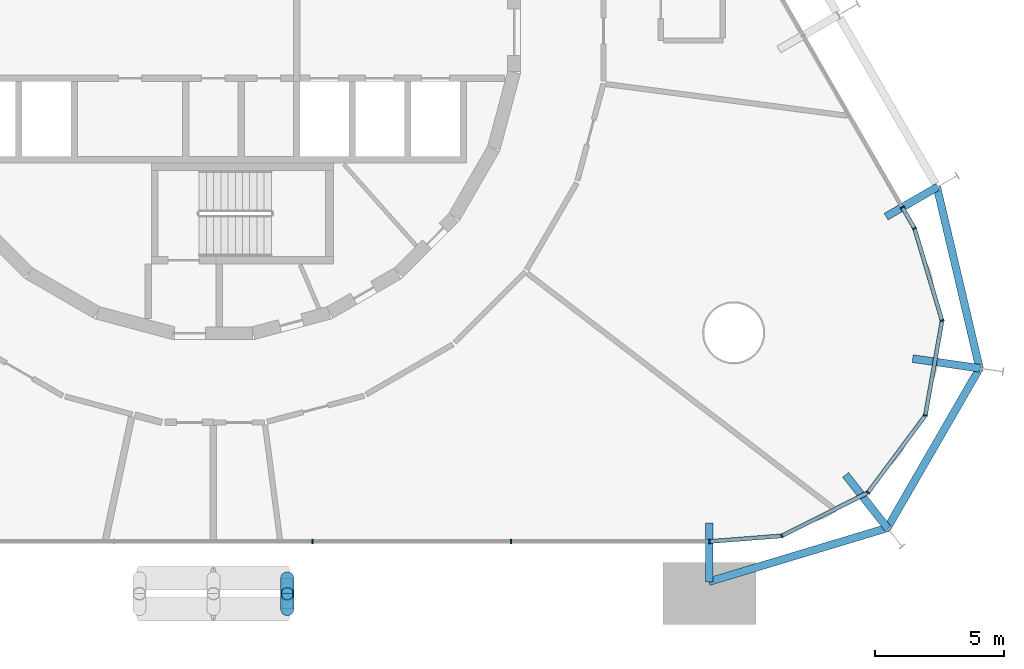
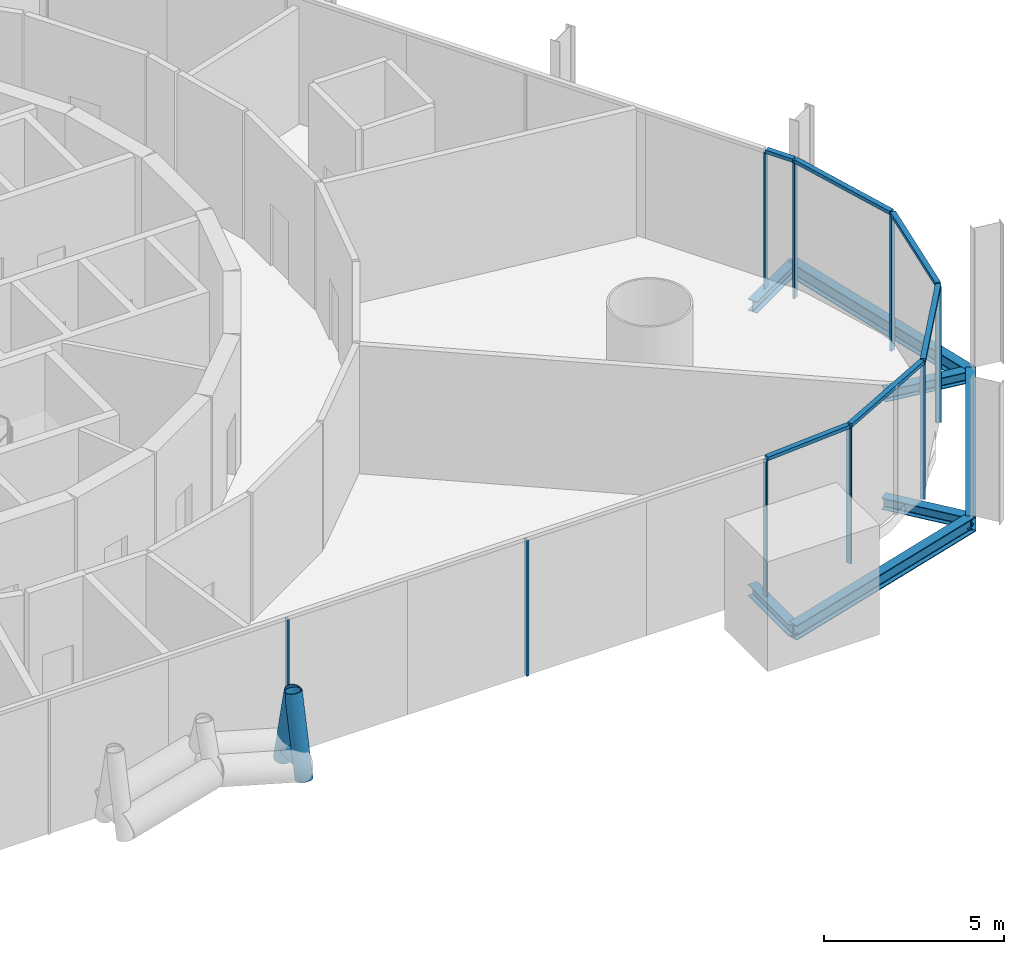
# One storey, part 6 of 17: 18 members, 7 beams, 3 elements without a shape of their own.
"""IFC4 building model written with IfcOpenShell, lengths in metres."""

from ifc_helpers import new_model, si_unit, direction, frame, origin, origin_2d, place, context, subcontext, project, spatial, rectangle, hollow_circle, i_section, extrude, material, layer, layer_set, material_profile, profile_set, type_object, element, aggregate, save


model = new_model("IFC4")

# Units and contexts
model_context = context("Model", 3, precision=1e-05, world=origin(), true_north=direction((0.0, 1.0)))
body_context = subcontext(model_context, "Body", "Model", "MODEL_VIEW")
ifc_project = project(units=[si_unit("LENGTHUNIT", "METRE"), si_unit("AREAUNIT", "SQUARE_METRE"), si_unit("VOLUMEUNIT", "CUBIC_METRE"), si_unit("PLANEANGLEUNIT", "RADIAN"), si_unit("MASSUNIT", "GRAM", prefix="KILO")], contexts=[model_context])

# Site, building, storey
site_placement = place(None, origin())
site = spatial("IfcSite", under=ifc_project, at=site_placement, CompositionType="ELEMENT")
building_placement = place(site_placement, origin())
building = spatial("IfcBuilding", under=site, at=building_placement, Name="Spindle Arch Residences", CompositionType="ELEMENT")
storey_placement = place(building_placement, frame((0.0, 0.0, 28.199951171875)))
storey = spatial("IfcBuildingStorey", under=building, at=storey_placement, Name="L05", CompositionType="ELEMENT", Elevation=28.199951171875)

# Members
ifc_material_1 = material(Name="Steel S355J2, intumescent coating R 240", Category="steel")
ifc_material_profile_1 = material_profile(ifc_material_1, hollow_circle(Radius=0.25390625, WallThickness=0.02490234375, at=origin_2d()), Name="CHS 508x25")
ifc_profile_set_1 = profile_set([ifc_material_profile_1], Name="Steel S355J2, intumescent coating R 240")
member_type_1 = type_object("IfcMemberType", Name="Arch hanger CHS 508x25", PredefinedType="BRACE", material=ifc_profile_set_1)
for number, where, z_axis, x_axis, name in (
    (1, (2.8623046875, -21.72998046875, 3.342041015625), (0.0, -0.222066416142, -0.97503154145), (1.0, 0.0, 0.0), "Arch hanger 1.13"),
    (2, (2.8623046875, -21.72998046875, 3.342041015625), (0.0, 0.222152337668, -0.975011968577), (-1.0, 0.0, 0.0), "Arch hanger 2.13"),
):
    element("IfcMember", number, at=place(storey_placement, frame(where, z_axis=z_axis, x_axis=x_axis)), inside=storey, type_object=member_type_1, Name=name, PredefinedType="BRACE", context=body_context, shape_type="SweptSolid", body=[
        extrude(hollow_circle(Radius=0.25390625, WallThickness=0.02490234375, at=origin_2d()), origin(), (0.0, 0.0, 1.0), 2.701171875),
    ])
ifc_material_2 = material(Name="Steel S355J2, intumescent coating R 240", Category="steel")
ifc_material_profile_2 = material_profile(ifc_material_2, hollow_circle(Radius=0.203125, WallThickness=0.02001953125, at=origin_2d()), Name="CHS 406.4x20")
ifc_profile_set_2 = profile_set([ifc_material_profile_2], Name="Steel S355J2, intumescent coating R 240")
member_type_2 = type_object("IfcMemberType", Name="Arch tie CHS 406.4x20", PredefinedType="MEMBER", material=ifc_profile_set_2)
member_1_placement = place(storey_placement, frame((2.8623046875, -22.329833984375, 1.16552734375), z_axis=(0.0, 1.0, 0.0), x_axis=(-1.0, 0.0, 0.0)))
element("IfcMember", 3, at=member_1_placement, inside=storey, type_object=member_type_2, Name="Arch tie 13", PredefinedType="MEMBER", context=body_context, shape_type="SweptSolid", body=[
    extrude(hollow_circle(Radius=0.203125, WallThickness=0.02001953125, at=origin_2d()), origin(), (0.0, 0.0, 1.0), 1.199951171875),
])

# Curtain wall, members
ifc_material_3 = material(Name="Aluminium bronze unitised frame with tinted glass", Category="aluminium")
ifc_layer_1 = layer(ifc_material_3, 0.159912109375)
ifc_layer_set_1 = layer_set([ifc_layer_1], Name="CW-D corner wall on the fillet arcs")
curtain_wall_type_1 = type_object("IfcCurtainWallType", Name="CW-D corner wall on the fillet arcs", PredefinedType="NOTDEFINED", material=ifc_layer_set_1)
curtain_wall_1_placement = place(storey_placement, origin())
curtain_wall_1 = element("IfcCurtainWall", 4, at=curtain_wall_1_placement, inside=storey, type_object=curtain_wall_type_1, Name="CW-D L05 run 1", PredefinedType="NOTDEFINED")
ifc_material_4 = material(Name="Aluminium bronze anodised mullion", Category="aluminium")
ifc_material_profile_3 = material_profile(ifc_material_4, rectangle(XDim=0.159912109375, YDim=0.06005859375, at=origin_2d()), Name="MU 60x160")
ifc_profile_set_3 = profile_set([ifc_material_profile_3], Name="Aluminium bronze anodised mullion")
member_type_3 = type_object("IfcMemberType", Name="Bronze mullion 60x160", PredefinedType="MULLION", material=ifc_profile_set_3)
member_2_placement = place(storey_placement, frame((19.2001953125, -19.7099609375, -0.3798828125), z_axis=(0.0, 0.0, 1.0), x_axis=(-0.077364085451, 0.997002907861, 0.0)))
member_2 = element("IfcMember", 5, at=member_2_placement, type_object=member_type_3, Name="CW-D mullion 00", PredefinedType="MULLION", context=body_context, shape_type="SweptSolid", body=[
    extrude(rectangle(XDim=0.159912109375, YDim=0.06005859375, at=origin_2d()), origin(), (0.0, 0.0, 1.0), 4.60986328125),
])
member_3_placement = place(storey_placement, frame((22.007080078125, -19.4921875, -0.3798828125), z_axis=(0.0, 0.0, 1.0), x_axis=(-0.448799176213, 0.893632642326, 0.0)))
member_3 = element("IfcMember", 6, at=member_3_placement, type_object=member_type_3, Name="CW-D mullion 01", PredefinedType="MULLION", context=body_context, shape_type="SweptSolid", body=[
    extrude(rectangle(XDim=0.159912109375, YDim=0.06005859375, at=origin_2d()), origin(), (0.0, 0.0, 1.0), 4.60986328125),
])
member_4_placement = place(storey_placement, frame((25.33740234375, -17.819580078125, -0.3798828125), z_axis=(0.0, 0.0, 1.0), x_axis=(-0.802123189687, 0.597158595823, 0.0)))
member_4 = element("IfcMember", 7, at=member_4_placement, type_object=member_type_3, Name="CW-D mullion 02", PredefinedType="MULLION", context=body_context, shape_type="SweptSolid", body=[
    extrude(rectangle(XDim=0.159912109375, YDim=0.06005859375, at=origin_2d()), origin(), (0.0, 0.0, 1.0), 4.60986328125),
])
member_5_placement = place(storey_placement, frame((27.562744140625, -14.830322265625, -0.3798828125), z_axis=(0.0, 0.0, 1.0), x_axis=(-0.984807752421, 0.173648181019, 0.0)))
member_5 = element("IfcMember", 8, at=member_5_placement, type_object=member_type_3, Name="CW-D mullion 03", PredefinedType="MULLION", context=body_context, shape_type="SweptSolid", body=[
    extrude(rectangle(XDim=0.159912109375, YDim=0.06005859375, at=origin_2d()), origin(), (0.0, 0.0, 1.0), 4.60986328125),
])
member_6_placement = place(storey_placement, frame((28.2099609375, -11.16015625, -0.3798828125), z_axis=(0.0, 0.0, 1.0), x_axis=(-0.957989512975, -0.28680323051, 0.0)))
member_6 = element("IfcMember", 9, at=member_6_placement, type_object=member_type_3, Name="CW-D mullion 04", PredefinedType="MULLION", context=body_context, shape_type="SweptSolid", body=[
    extrude(rectangle(XDim=0.159912109375, YDim=0.06005859375, at=origin_2d()), origin(), (0.0, 0.0, 1.0), 4.60986328125),
])
member_7_placement = place(storey_placement, frame((27.14111328125, -7.58984375, -0.3798828125), z_axis=(0.0, 0.0, 1.0), x_axis=(-0.866025403784, -0.5, 0.0)))
member_7 = element("IfcMember", 10, at=member_7_placement, type_object=member_type_3, Name="CW-D mullion 05", PredefinedType="MULLION", context=body_context, shape_type="SweptSolid", body=[
    extrude(rectangle(XDim=0.159912109375, YDim=0.06005859375, at=origin_2d()), origin(), (0.0, 0.0, 1.0), 4.60986328125),
])

# Curtain wall, member
ifc_material_5 = material(Name="Aluminium bronze unitised frame with tinted glass", Category="aluminium")
ifc_layer_2 = layer(ifc_material_5, 0.159912109375)
ifc_layer_set_2 = layer_set([ifc_layer_2], Name="CW-B amenity podium glazed wall")
curtain_wall_type_2 = type_object("IfcCurtainWallType", Name="CW-B amenity podium glazed wall", PredefinedType="NOTDEFINED", material=ifc_layer_set_2)
curtain_wall_2_placement = place(storey_placement, origin())
curtain_wall_2 = element("IfcCurtainWall", 11, at=curtain_wall_2_placement, inside=storey, type_object=curtain_wall_type_2, Name="CW-B L05 run 2", PredefinedType="NOTDEFINED")
member_8_placement = place(storey_placement, frame((26.66943359375, -6.77294921875, -0.3798828125), z_axis=(0.0, 0.0, 1.0), x_axis=(-0.866025403784, -0.5, 0.0)))
member_8 = element("IfcMember", 12, at=member_8_placement, type_object=member_type_3, Name="CW-B mullion 05", PredefinedType="MULLION", context=body_context, shape_type="SweptSolid", body=[
    extrude(rectangle(XDim=0.159912109375, YDim=0.06005859375, at=origin_2d()), origin(), (0.0, 0.0, 1.0), 4.60986328125),
])
aggregate(curtain_wall_2, [member_8])

# Curtain wall, members
curtain_wall_3_placement = place(storey_placement, origin())
curtain_wall_3 = element("IfcCurtainWall", 13, at=curtain_wall_3_placement, inside=storey, type_object=curtain_wall_type_2, Name="CW-B L05 run 6", PredefinedType="NOTDEFINED")
member_9_placement = place(storey_placement, frame((3.840087890625, -19.7099609375, -0.3798828125), z_axis=(0.0, 0.0, 1.0), x_axis=(0.0, 1.0, 0.0)))
member_9 = element("IfcMember", 14, at=member_9_placement, type_object=member_type_3, Name="CW-B mullion 00", PredefinedType="MULLION", context=body_context, shape_type="SweptSolid", body=[
    extrude(rectangle(XDim=0.159912109375, YDim=0.06005859375, at=origin_2d()), origin(), (0.0, 0.0, 1.0), 4.60986328125),
])
member_10_placement = place(storey_placement, frame((11.52001953125, -19.7099609375, -0.3798828125), z_axis=(0.0, 0.0, 1.0), x_axis=(0.0, 1.0, 0.0)))
member_10 = element("IfcMember", 15, at=member_10_placement, type_object=member_type_3, Name="CW-B mullion 01", PredefinedType="MULLION", context=body_context, shape_type="SweptSolid", body=[
    extrude(rectangle(XDim=0.159912109375, YDim=0.06005859375, at=origin_2d()), origin(), (0.0, 0.0, 1.0), 4.60986328125),
])
aggregate(curtain_wall_3, [member_9, member_10])

# Member
ifc_material_6 = material(Name="Aluminium bronze anodised transom", Category="aluminium")
ifc_material_profile_4 = material_profile(ifc_material_6, rectangle(XDim=0.159912109375, YDim=0.1201171875, at=origin_2d()), Name="TR 120x160")
ifc_profile_set_4 = profile_set([ifc_material_profile_4], Name="Aluminium bronze anodised transom")
member_type_4 = type_object("IfcMemberType", Name="Bronze transom 120x160", PredefinedType="USERDEFINED", material=ifc_profile_set_4)
member_11_placement = place(storey_placement, frame((19.22998046875, -19.70751953125, 4.2900390625), z_axis=(0.997003710875, 0.077353736189, 0.0), x_axis=(-0.077353736189, 0.997003710875, 0.0)))
member_11 = element("IfcMember", 16, at=member_11_placement, type_object=member_type_4, Name="CW-D transom 00", ObjectType="TRANSOM", PredefinedType="USERDEFINED", context=body_context, shape_type="SweptSolid", body=[
    extrude(rectangle(XDim=0.159912109375, YDim=0.1201171875, at=origin_2d()), origin(), (0.0, 0.0, 1.0), 2.75537109375),
])

member_12_placement = place(storey_placement, frame((22.03369140625, -19.478759765625, 4.2900390625), z_axis=(0.893626812559, 0.448810784046, 0.0), x_axis=(-0.448810784046, 0.893626812559, 0.0)))
member_12 = element("IfcMember", 17, at=member_12_placement, type_object=member_type_4, Name="CW-D transom 01", ObjectType="TRANSOM", PredefinedType="USERDEFINED", context=body_context, shape_type="SweptSolid", body=[
    extrude(rectangle(XDim=0.159912109375, YDim=0.1201171875, at=origin_2d()), origin(), (0.0, 0.0, 1.0), 3.6669921875),
])

member_13_placement = place(storey_placement, frame((25.355224609375, -17.79541015625, 4.2900390625), z_axis=(0.597173190998, 0.802112323776, 0.0), x_axis=(-0.802112323776, 0.597173190998, 0.0)))
member_13 = element("IfcMember", 18, at=member_13_placement, type_object=member_type_4, Name="CW-D transom 02", ObjectType="TRANSOM", PredefinedType="USERDEFINED", context=body_context, shape_type="SweptSolid", body=[
    extrude(rectangle(XDim=0.159912109375, YDim=0.1201171875, at=origin_2d()), origin(), (0.0, 0.0, 1.0), 3.666748046875),
])

member_14_placement = place(storey_placement, frame((27.56787109375, -14.80078125, 4.2900390625), z_axis=(0.173709368694, 0.984796961423, 0.0), x_axis=(-0.984796961423, 0.173709368694, 0.0)))
member_14 = element("IfcMember", 19, at=member_14_placement, type_object=member_type_4, Name="CW-D transom 03", ObjectType="TRANSOM", PredefinedType="USERDEFINED", context=body_context, shape_type="SweptSolid", body=[
    extrude(rectangle(XDim=0.159912109375, YDim=0.1201171875, at=origin_2d()), origin(), (0.0, 0.0, 1.0), 3.666748046875),
])

member_15_placement = place(storey_placement, frame((28.201416015625, -11.13134765625, 4.2900390625), z_axis=(-0.286834736274, 0.957980080203, 0.0), x_axis=(-0.957980080203, -0.286834736274, 0.0)))
member_15 = element("IfcMember", 20, at=member_15_placement, type_object=member_type_4, Name="CW-D transom 04", ObjectType="TRANSOM", PredefinedType="USERDEFINED", context=body_context, shape_type="SweptSolid", body=[
    extrude(rectangle(XDim=0.159912109375, YDim=0.1201171875, at=origin_2d()), origin(), (0.0, 0.0, 1.0), 3.666748046875),
])

member_16_placement = place(storey_placement, frame((27.1259765625, -7.56396484375, 4.2900390625), z_axis=(-0.499913830031, 0.866075148324, 0.0), x_axis=(-0.866075148324, -0.499913830031, 0.0)))
member_16 = element("IfcMember", 21, at=member_16_placement, type_object=member_type_4, Name="CW-D transom 05", ObjectType="TRANSOM", PredefinedType="USERDEFINED", context=body_context, shape_type="SweptSolid", body=[
    extrude(rectangle(XDim=0.159912109375, YDim=0.1201171875, at=origin_2d()), origin(), (0.0, 0.0, 1.0), 0.883544921875),
])

aggregate(curtain_wall_1, [member_2, member_11, member_3, member_12, member_4, member_13, member_5, member_14, member_6, member_15, member_7, member_16])

# Beams
ifc_material_7 = material(Name="Steel S460ML, intumescent coating R 120", Category="steel")
ifc_material_profile_5 = material_profile(ifc_material_7, i_section(OverallWidth=0.300048828125, OverallDepth=0.5, WebThickness=0.014404296875, FlangeThickness=0.028076171875, FilletRadius=0.027099609375, at=origin_2d()), Name="HEB 500")
ifc_profile_set_5 = profile_set([ifc_material_profile_5], Name="Steel S460ML, intumescent coating R 120")
beam_type_1 = type_object("IfcBeamType", Name="Exoskeleton edge beam HEB 500", PredefinedType="BEAM", material=ifc_profile_set_5)
beam_1_placement = place(storey_placement, frame((19.177490234375, -21.26708984375, -0.6298828125), z_axis=(0.957564526429, 0.288218975303, 0.0), x_axis=(-0.288218975303, 0.957564526429, 0.0)))
element("IfcBeam", 22, at=beam_1_placement, inside=storey, type_object=beam_type_1, Name="Exoskeleton edge beam 3", PredefinedType="BEAM", context=body_context, shape_type="SweptSolid", body=[
    extrude(i_section(OverallWidth=0.300048828125, OverallDepth=0.5, WebThickness=0.014404296875, FlangeThickness=0.028076171875, FilletRadius=0.027099609375, at=origin_2d()), origin(), (0.0, 0.0, 1.0), 7.25),
])
beam_2_placement = place(storey_placement, frame((26.06689453125, -19.227783203125, -0.6298828125), z_axis=(0.500025200273, 0.866010853911, 0.0), x_axis=(-0.866010853911, 0.500025200273, 0.0)))
element("IfcBeam", 23, at=beam_2_placement, inside=storey, type_object=beam_type_1, Name="Exoskeleton edge beam 4", PredefinedType="BEAM", context=body_context, shape_type="SweptSolid", body=[
    extrude(i_section(OverallWidth=0.300048828125, OverallDepth=0.5, WebThickness=0.014404296875, FlangeThickness=0.028076171875, FilletRadius=0.027099609375, at=origin_2d()), origin(), (0.0, 0.0, 1.0), 7.236572265625),
])
beam_3_placement = place(storey_placement, frame((29.668212890625, -13.03173828125, -0.6298828125), z_axis=(-0.229185730541, 0.973382710406, 0.0), x_axis=(-0.973382710406, -0.229185730541, 0.0)))
element("IfcBeam", 24, at=beam_3_placement, inside=storey, type_object=beam_type_1, Name="Exoskeleton edge beam 5", PredefinedType="BEAM", context=body_context, shape_type="SweptSolid", body=[
    extrude(i_section(OverallWidth=0.300048828125, OverallDepth=0.5, WebThickness=0.014404296875, FlangeThickness=0.028076171875, FilletRadius=0.027099609375, at=origin_2d()), origin(), (0.0, 0.0, 1.0), 7.25),
])
ifc_material_8 = material(Name="Steel S460ML, intumescent coating R 120", Category="steel")
ifc_material_profile_6 = material_profile(ifc_material_8, i_section(OverallWidth=0.300048828125, OverallDepth=0.389892578125, WebThickness=0.010986328125, FlangeThickness=0.01904296875, FilletRadius=0.027099609375, at=origin_2d()), Name="HEA 400")
ifc_profile_set_6 = profile_set([ifc_material_profile_6], Name="Steel S460ML, intumescent coating R 120")
beam_type_2 = type_object("IfcBeamType", Name="Floor outrigger HEA 400", PredefinedType="BEAM", material=ifc_profile_set_6)
beam_4_placement = place(storey_placement, frame((19.2001953125, -21.27978515625, -0.574951171875), z_axis=(0.0, 1.0, 0.0), x_axis=(-1.0, 0.0, 0.0)))
element("IfcBeam", 25, at=beam_4_placement, inside=storey, type_object=beam_type_2, Name="Floor outrigger 3", PredefinedType="BEAM", context=body_context, shape_type="SweptSolid", body=[
    extrude(i_section(OverallWidth=0.300048828125, OverallDepth=0.389892578125, WebThickness=0.010986328125, FlangeThickness=0.01904296875, FilletRadius=0.027099609375, at=origin_2d()), origin(), (0.0, 0.0, 1.0), 2.2939453125),
])
for number, where, z_axis, x_axis, name in (
    (26, (26.11328125, -19.211669921875, -0.574951171875), (-0.618586231558, 0.785716917297, 0.0), (-0.785716917297, -0.618586231558, 0.0), "Floor outrigger 4"),
    (27, (29.694580078125, -13.009033203125, -0.574951171875), (-0.989738348309, 0.142891573883, 0.0), (-0.142891573883, -0.989738348309, 0.0), "Floor outrigger 5"),
):
    element("IfcBeam", number, at=place(storey_placement, frame(where, z_axis=z_axis, x_axis=x_axis)), inside=storey, type_object=beam_type_2, Name=name, PredefinedType="BEAM", context=body_context, shape_type="SweptSolid", body=[
        extrude(i_section(OverallWidth=0.300048828125, OverallDepth=0.389892578125, WebThickness=0.010986328125, FlangeThickness=0.01904296875, FilletRadius=0.027099609375, at=origin_2d()), origin(), (0.0, 0.0, 1.0), 2.64990234375),
    ])
beam_5_placement = place(storey_placement, frame((28.029052734375, -5.98779296875, -0.574951171875), z_axis=(-0.866001280077, -0.50004178116, 0.0), x_axis=(0.50004178116, -0.866001280077, 0.0)))
element("IfcBeam", 28, at=beam_5_placement, inside=storey, type_object=beam_type_2, Name="Floor outrigger 6", PredefinedType="BEAM", context=body_context, shape_type="SweptSolid", body=[
    extrude(i_section(OverallWidth=0.300048828125, OverallDepth=0.389892578125, WebThickness=0.010986328125, FlangeThickness=0.01904296875, FilletRadius=0.027099609375, at=origin_2d()), origin(), (0.0, 0.0, 1.0), 2.294189453125),
])

save(model, "model.ifc")
